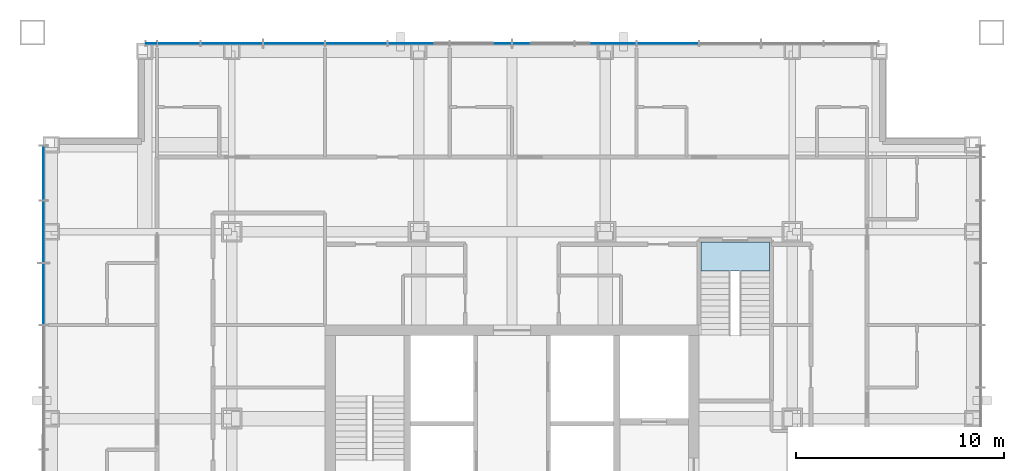
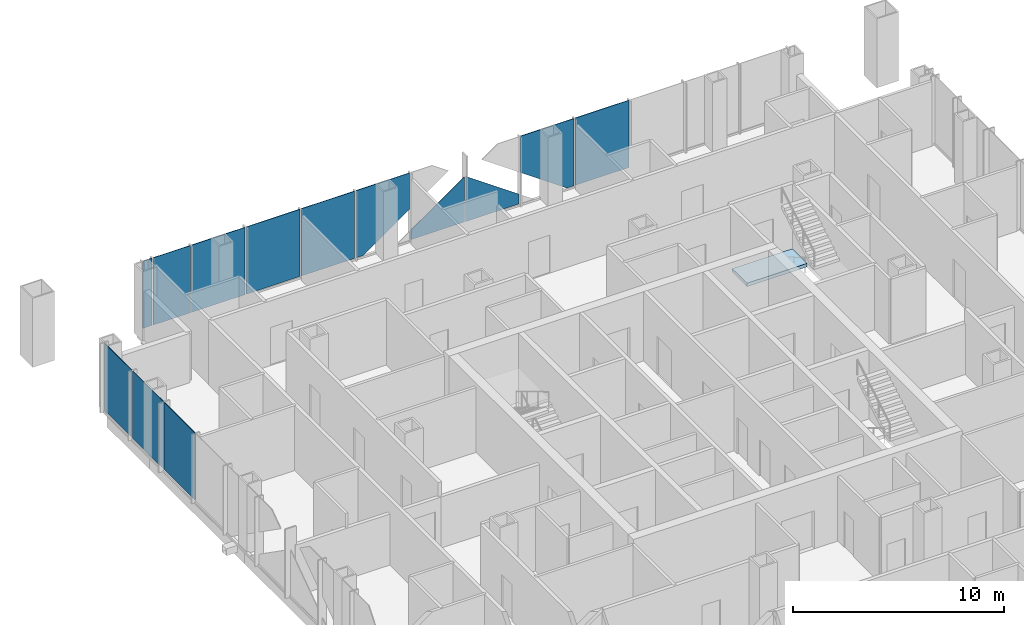
# One storey, part 10 of 17: 13 plates, 1 slab, 3 elements without a shape of their own.
"""IFC4 building model written with IfcOpenShell, lengths in metres."""

from ifc_helpers import new_model, si_unit, direction, frame, origin, origin_2d, place, context, subcontext, project, spatial, polyline, rectangle, outline, extrude, material, layer, layer_set, type_object, element, aggregate, save


model = new_model("IFC4")

# Units and contexts
model_context = context("Model", 3, precision=1e-05, world=origin(), true_north=direction((0.0, 1.0)))
body_context = subcontext(model_context, "Body", "Model", "MODEL_VIEW")
ifc_project = project(units=[si_unit("LENGTHUNIT", "METRE"), si_unit("AREAUNIT", "SQUARE_METRE"), si_unit("VOLUMEUNIT", "CUBIC_METRE"), si_unit("PLANEANGLEUNIT", "RADIAN"), si_unit("MASSUNIT", "GRAM", prefix="KILO")], contexts=[model_context])

# Site, building, storey
site_placement = place(None, origin())
site = spatial("IfcSite", under=ifc_project, at=site_placement, CompositionType="ELEMENT")
building_placement = place(site_placement, origin())
building = spatial("IfcBuilding", under=site, at=building_placement, Name="Malebo Sky Hospital", CompositionType="ELEMENT")
storey_placement = place(building_placement, frame((0.0, 0.0, 189.0)))
storey = spatial("IfcBuildingStorey", under=building, at=storey_placement, Name="L45", CompositionType="ELEMENT", Elevation=189.0)

# Stair, slab
ifc_material_1 = material(Name="Concrete C40/50", Category="concrete")
stair_type = type_object("IfcStairType", Name="HALF-TURN STAIR 1400 R167", PredefinedType="HALF_TURN_STAIR", material=ifc_material_1)
stair_placement = place(storey_placement, origin())
stair = element("IfcStair", 1, at=stair_placement, inside=storey, type_object=stair_type, Name="Stair S3 L45 type ST1B", PredefinedType="HALF_TURN_STAIR")
ifc_layer_1 = layer(ifc_material_1, 0.199951171875)
ifc_layer_set_1 = layer_set([ifc_layer_1], Name="STAIR LANDING 200")
slab_type = type_object("IfcSlabType", Name="STAIR LANDING 200", PredefinedType="LANDING", material=ifc_layer_set_1)
slab_placement = place(storey_placement, frame((0.0, 0.0, -0.199951171875)))
slab = element("IfcSlab", 2, at=slab_placement, type_object=slab_type, Name="S3 landing 1", PredefinedType="LANDING", context=body_context, shape_type="SweptSolid", body=[
    extrude(outline(polyline([(69.10009765625, 73.60009765625), (72.39990234375, 73.60009765625), (72.39990234375, 75.0), (69.10009765625, 75.0), (69.10009765625, 73.60009765625)])), origin(), (0.0, 0.0, 1.0), 0.199951171875),
])
aggregate(stair, [slab])

# Curtain wall, plates
ifc_material_2 = material(Name="Anodised aluminium, natural silver", Category="aluminium")
ifc_layer_2 = layer(ifc_material_2, 0.25)
ifc_layer_set_2 = layer_set([ifc_layer_2], Name="WARD CURTAIN WALL NORTH AND SOUTH")
curtain_wall_type_1 = type_object("IfcCurtainWallType", Name="WARD CURTAIN WALL NORTH AND SOUTH", PredefinedType="NOTDEFINED", material=ifc_layer_set_2)
curtain_wall_1_placement = place(storey_placement, origin())
curtain_wall_1 = element("IfcCurtainWall", 3, at=curtain_wall_1_placement, inside=storey, type_object=curtain_wall_type_1, Name="NS curtain wall N", PredefinedType="NOTDEFINED")
ifc_material_3 = material(Name="Clear low-iron double glazing", Category="glass")
ifc_layer_3 = layer(ifc_material_3, 0.031982421875)
ifc_layer_set_3 = layer_set([ifc_layer_3], Name="VISION PANEL CLEAR 32")
plate_type = type_object("IfcPlateType", Name="VISION PANEL CLEAR 32", PredefinedType="CURTAIN_PANEL", material=ifc_layer_set_3)
plate_1_placement = place(storey_placement, frame((42.61865234375, 84.574951171875, 0.10009765625), z_axis=(0.0, 0.0, 1.0), x_axis=(1.0, 0.0, 0.0)))
plate_1 = element("IfcPlate", 4, at=plate_1_placement, type_object=plate_type, Name="Panel 1", PredefinedType="CURTAIN_PANEL", context=body_context, shape_type="SweptSolid", body=[
    extrude(rectangle(XDim=0.487548828125, YDim=0.031982421875, at=origin_2d()), origin(), (0.0, 0.0, 1.0), 3.889892578125),
])
plate_2_placement = place(storey_placement, frame((43.949951171875, 84.574951171875, 0.10009765625), z_axis=(0.0, 0.0, 1.0), x_axis=(1.0, 0.0, 0.0)))
plate_2 = element("IfcPlate", 5, at=plate_2_placement, type_object=plate_type, Name="Panel 2", PredefinedType="CURTAIN_PANEL", context=body_context, shape_type="SweptSolid", body=[
    extrude(rectangle(XDim=2.02490234375, YDim=0.031982421875, at=origin_2d()), origin(), (0.0, 0.0, 1.0), 3.889892578125),
])
plate_3_placement = place(storey_placement, frame((46.5, 84.574951171875, 0.10009765625), z_axis=(0.0, 0.0, 1.0), x_axis=(1.0, 0.0, 0.0)))
plate_3 = element("IfcPlate", 6, at=plate_3_placement, type_object=plate_type, Name="Panel 3", PredefinedType="CURTAIN_PANEL", context=body_context, shape_type="SweptSolid", body=[
    extrude(rectangle(XDim=2.925048828125, YDim=0.031982421875, at=origin_2d()), origin(), (0.0, 0.0, 1.0), 3.889892578125),
])
plate_4_placement = place(storey_placement, frame((49.5, 84.574951171875, 0.10009765625), z_axis=(0.0, 0.0, 1.0), x_axis=(1.0, 0.0, 0.0)))
plate_4 = element("IfcPlate", 7, at=plate_4_placement, type_object=plate_type, Name="Panel 4", PredefinedType="CURTAIN_PANEL", context=body_context, shape_type="SweptSolid", body=[
    extrude(rectangle(XDim=2.925048828125, YDim=0.031982421875, at=origin_2d()), origin(), (0.0, 0.0, 1.0), 3.889892578125),
])
plate_5_placement = place(storey_placement, frame((52.5, 84.574951171875, 0.10009765625), z_axis=(0.0, 0.0, 1.0), x_axis=(1.0, 0.0, 0.0)))
plate_5 = element("IfcPlate", 8, at=plate_5_placement, type_object=plate_type, Name="Panel 5", PredefinedType="CURTAIN_PANEL", context=body_context, shape_type="SweptSolid", body=[
    extrude(rectangle(XDim=2.925048828125, YDim=0.031982421875, at=origin_2d()), origin(), (0.0, 0.0, 1.0), 3.889892578125),
])
plate_6_placement = place(storey_placement, frame((55.5, 84.574951171875, 0.10009765625), z_axis=(0.0, 0.0, 1.0), x_axis=(1.0, 0.0, 0.0)))
plate_6 = element("IfcPlate", 9, at=plate_6_placement, type_object=plate_type, Name="Panel 6", PredefinedType="CURTAIN_PANEL", context=body_context, shape_type="SweptSolid", body=[
    extrude(outline(polyline([(-1.46240234375, 0.0), (-1.076904296875, 0.0), (1.46240234375, 1.78369140625), (1.46240234375, 3.889892578125), (-1.46240234375, 3.889892578125), (-1.46240234375, 0.0)])), frame((0.0, 0.01611328125, 0.0), z_axis=(0.0, -1.0, 0.0), x_axis=(1.0, 0.0, 0.0)), (0.0, 0.0, 1.0), 0.031982421875),
])
plate_7_placement = place(storey_placement, frame((58.5, 84.574951171875, 0.10009765625), z_axis=(0.0, 0.0, 1.0), x_axis=(1.0, 0.0, 0.0)))
plate_7 = element("IfcPlate", 10, at=plate_7_placement, type_object=plate_type, Name="Panel 7", PredefinedType="CURTAIN_PANEL", context=body_context, shape_type="SweptSolid", body=[
    extrude(outline(polyline([(-1.46240234375, 0.0), (1.46240234375, 0.0), (1.46240234375, 2.6064453125), (-1.46240234375, 0.552001953125), (-1.46240234375, 0.0)])), frame((0.0, 0.01611328125, 0.0), z_axis=(0.0, -1.0, 0.0), x_axis=(1.0, 0.0, 0.0)), (0.0, 0.0, 1.0), 0.031982421875),
])
plate_8_placement = place(storey_placement, frame((61.5, 84.574951171875, 0.10009765625), z_axis=(0.0, 0.0, 1.0), x_axis=(1.0, 0.0, 0.0)))
plate_8 = element("IfcPlate", 11, at=plate_8_placement, type_object=plate_type, Name="Panel 8", PredefinedType="CURTAIN_PANEL", context=body_context, shape_type="SweptSolid", body=[
    extrude(outline(polyline([(-1.46240234375, 0.0), (1.46240234375, 0.0), (1.46240234375, 0.552001953125), (-1.46240234375, 2.6064453125), (-1.46240234375, 0.0)])), frame((0.0, 0.01611328125, 0.0), z_axis=(0.0, -1.0, 0.0), x_axis=(1.0, 0.0, 0.0)), (0.0, 0.0, 1.0), 0.031982421875),
])
plate_9_placement = place(storey_placement, frame((64.5, 84.574951171875, 0.10009765625), z_axis=(0.0, 0.0, 1.0), x_axis=(1.0, 0.0, 0.0)))
plate_9 = element("IfcPlate", 12, at=plate_9_placement, type_object=plate_type, Name="Panel 9", PredefinedType="CURTAIN_PANEL", context=body_context, shape_type="SweptSolid", body=[
    extrude(outline(polyline([(1.076904296875, 0.0), (1.46240234375, 0.0), (1.46240234375, 3.889892578125), (-1.46240234375, 3.889892578125), (-1.46240234375, 1.78369140625), (1.076904296875, 0.0)])), frame((0.0, 0.01611328125, 0.0), z_axis=(0.0, -1.0, 0.0), x_axis=(1.0, 0.0, 0.0)), (0.0, 0.0, 1.0), 0.031982421875),
])
plate_10_placement = place(storey_placement, frame((67.5, 84.574951171875, 0.10009765625), z_axis=(0.0, 0.0, 1.0), x_axis=(1.0, 0.0, 0.0)))
plate_10 = element("IfcPlate", 13, at=plate_10_placement, type_object=plate_type, Name="Panel 10", PredefinedType="CURTAIN_PANEL", context=body_context, shape_type="SweptSolid", body=[
    extrude(rectangle(XDim=2.925048828125, YDim=0.031982421875, at=origin_2d()), origin(), (0.0, 0.0, 1.0), 3.889892578125),
])
aggregate(curtain_wall_1, [plate_1, plate_2, plate_3, plate_4, plate_5, plate_6, plate_7, plate_8, plate_9, plate_10])

ifc_layer_4 = layer(ifc_material_2, 0.25)
ifc_layer_set_4 = layer_set([ifc_layer_4], Name="WARD CURTAIN WALL EAST AND WEST")
curtain_wall_type_2 = type_object("IfcCurtainWallType", Name="WARD CURTAIN WALL EAST AND WEST", PredefinedType="NOTDEFINED", material=ifc_layer_set_4)
curtain_wall_2_placement = place(storey_placement, origin())
curtain_wall_2 = element("IfcCurtainWall", 14, at=curtain_wall_2_placement, inside=storey, type_object=curtain_wall_type_2, Name="EW curtain wall W", PredefinedType="NOTDEFINED")
plate_11_placement = place(storey_placement, frame((37.425048828125, 72.5, 0.10009765625), z_axis=(0.0, 0.0, 1.0), x_axis=(0.0, 1.0, 0.0)))
plate_11 = element("IfcPlate", 15, at=plate_11_placement, type_object=plate_type, Name="Panel 11", PredefinedType="CURTAIN_PANEL", context=body_context, shape_type="SweptSolid", body=[
    extrude(rectangle(XDim=2.925048828125, YDim=0.031982421875, at=origin_2d()), origin(), (0.0, 0.0, 1.0), 3.889892578125),
])
plate_12_placement = place(storey_placement, frame((37.425048828125, 75.5, 0.10009765625), z_axis=(0.0, 0.0, 1.0), x_axis=(0.0, 1.0, 0.0)))
plate_12 = element("IfcPlate", 16, at=plate_12_placement, type_object=plate_type, Name="Panel 12", PredefinedType="CURTAIN_PANEL", context=body_context, shape_type="SweptSolid", body=[
    extrude(rectangle(XDim=2.925048828125, YDim=0.031982421875, at=origin_2d()), origin(), (0.0, 0.0, 1.0), 3.889892578125),
])
plate_13_placement = place(storey_placement, frame((37.425048828125, 78.331298828125, 0.10009765625), z_axis=(0.0, 0.0, 1.0), x_axis=(0.0, 1.0, 0.0)))
plate_13 = element("IfcPlate", 17, at=plate_13_placement, type_object=plate_type, Name="Panel 13", PredefinedType="CURTAIN_PANEL", context=body_context, shape_type="SweptSolid", body=[
    extrude(rectangle(XDim=2.58740234375, YDim=0.031982421875, at=origin_2d()), origin(), (0.0, 0.0, 1.0), 3.889892578125),
])
aggregate(curtain_wall_2, [plate_11, plate_12, plate_13])

save(model, "model.ifc")
